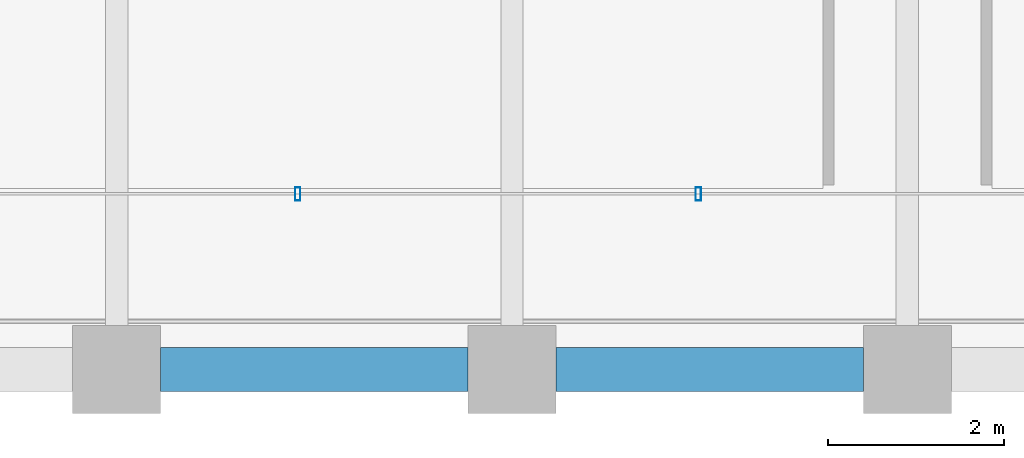
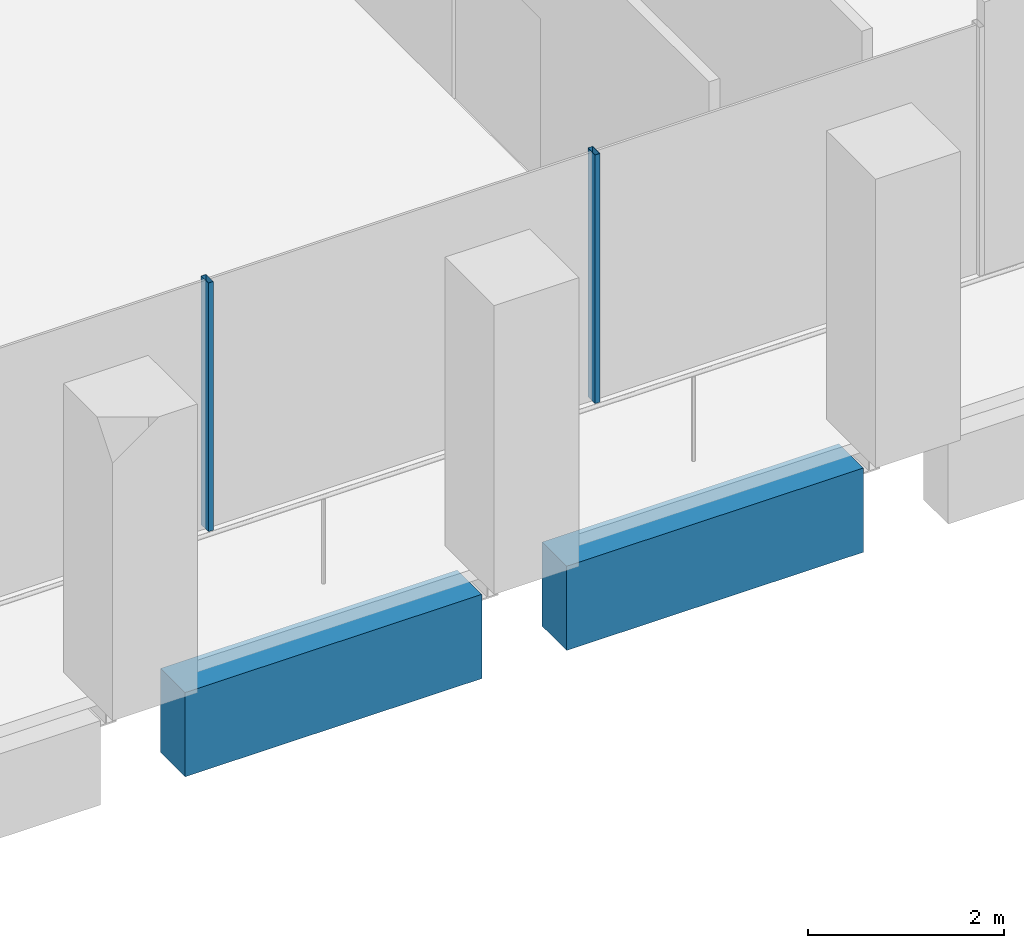
# One storey, part 3 of 46: 2 beams, 2 members, 1 element without a shape of its own.
"""IFC4 building model written with IfcOpenShell, lengths in metres."""

from ifc_helpers import new_model, si_unit, direction, frame, origin, origin_2d, place, context, subcontext, project, spatial, rectangle, hollow_rectangle, extrude, material, material_profile, profile_set, type_object, element, aggregate, save


model = new_model("IFC4")

# Units and contexts
model_context = context("Model", 3, precision=1e-05, world=origin(), true_north=direction((0.0, 1.0)))
body_context = subcontext(model_context, "Body", "Model", "MODEL_VIEW")
ifc_project = project(units=[si_unit("LENGTHUNIT", "METRE"), si_unit("AREAUNIT", "SQUARE_METRE"), si_unit("VOLUMEUNIT", "CUBIC_METRE"), si_unit("PLANEANGLEUNIT", "RADIAN"), si_unit("MASSUNIT", "GRAM", prefix="KILO")], contexts=[model_context])

# Site, building, storey
site_placement = place(None, origin())
site = spatial("IfcSite", under=ifc_project, at=site_placement, CompositionType="ELEMENT")
building_placement = place(site_placement, origin())
building = spatial("IfcBuilding", under=site, at=building_placement, Name="Altepetl Exchange Towers", CompositionType="ELEMENT")
storey_placement = place(building_placement, frame((0.0, 0.0, 135.199951171875)))
storey = spatial("IfcBuildingStorey", under=building, at=storey_placement, Name="L33", CompositionType="ELEMENT", Elevation=135.199951171875)

# Curtain wall, members
ifc_material_1 = material(Name="Aluminium 6063-T6 glazing", Category="aluminium")
curtain_wall_type = type_object("IfcCurtainWallType", Name="Loggia glazing system", PredefinedType="NOTDEFINED", material=ifc_material_1)
curtain_wall_placement = place(storey_placement, origin())
curtain_wall = element("IfcCurtainWall", 1, at=curtain_wall_placement, inside=storey, type_object=curtain_wall_type, Name="CW1 run", PredefinedType="NOTDEFINED")
ifc_material_2 = material(Name="Aluminium 6063-T6", Category="aluminium")
ifc_material_profile_1 = material_profile(ifc_material_2, hollow_rectangle(XDim=0.06005859375, YDim=0.14990234375, WallThickness=0.0029296875, at=origin_2d()), Name="Mullion 60x150 aluminium")
ifc_profile_set_1 = profile_set([ifc_material_profile_1], Name="Aluminium 6063-T6")
member_type = type_object("IfcMemberType", Name="Mullion 60x150 aluminium", PredefinedType="MULLION", material=ifc_profile_set_1)
member_1_placement = place(storey_placement, frame((38.060791015625, 29.0, 0.0)))
member_1 = element("IfcMember", 2, at=member_1_placement, type_object=member_type, Name="MU1 mullion", PredefinedType="MULLION", context=body_context, shape_type="SweptSolid", body=[
    extrude(hollow_rectangle(XDim=0.06005859375, YDim=0.14990234375, WallThickness=0.0029296875, at=origin_2d()), origin(), (0.0, 0.0, 1.0), 3.10009765625),
])
member_2_placement = place(storey_placement, frame((42.621337890625, 29.0, 0.0)))
member_2 = element("IfcMember", 3, at=member_2_placement, type_object=member_type, Name="MU1 mullion", PredefinedType="MULLION", context=body_context, shape_type="SweptSolid", body=[
    extrude(hollow_rectangle(XDim=0.06005859375, YDim=0.14990234375, WallThickness=0.0029296875, at=origin_2d()), origin(), (0.0, 0.0, 1.0), 3.10009765625),
])
aggregate(curtain_wall, [member_1, member_2])

# Beams
ifc_material_3 = material(Name="Concrete C50/60 precast with cantera blanca facing", Category="concrete")
ifc_material_profile_2 = material_profile(ifc_material_3, rectangle(XDim=0.5, YDim=1.050048828125, at=origin_2d()), Name="500 x 1050")
ifc_profile_set_2 = profile_set([ifc_material_profile_2], Name="Concrete C50/60 precast with cantera blanca facing")
beam_type = type_object("IfcBeamType", Name="Spandrel beam 500x1050 cantera blanca", PredefinedType="SPANDREL", material=ifc_profile_set_2)
for number, where, z_axis, x_axis, name in (
    (4, (36.5, 27.0, -0.675048828125), (1.0, 0.0, 0.0), (0.0, 1.0, 0.0), "sp:A:L33:001"),
    (5, (41.0, 27.0, -0.675048828125), (1.0, 0.0, 0.0), (0.0, 1.0, 0.0), "sp:A:L33:002"),
):
    element("IfcBeam", number, at=place(storey_placement, frame(where, z_axis=z_axis, x_axis=x_axis)), inside=storey, type_object=beam_type, Name=name, PredefinedType="SPANDREL", context=body_context, shape_type="SweptSolid", body=[
        extrude(rectangle(XDim=0.5, YDim=1.050048828125, at=origin_2d()), origin(), (0.0, 0.0, 1.0), 3.5),
    ])

save(model, "model.ifc")
